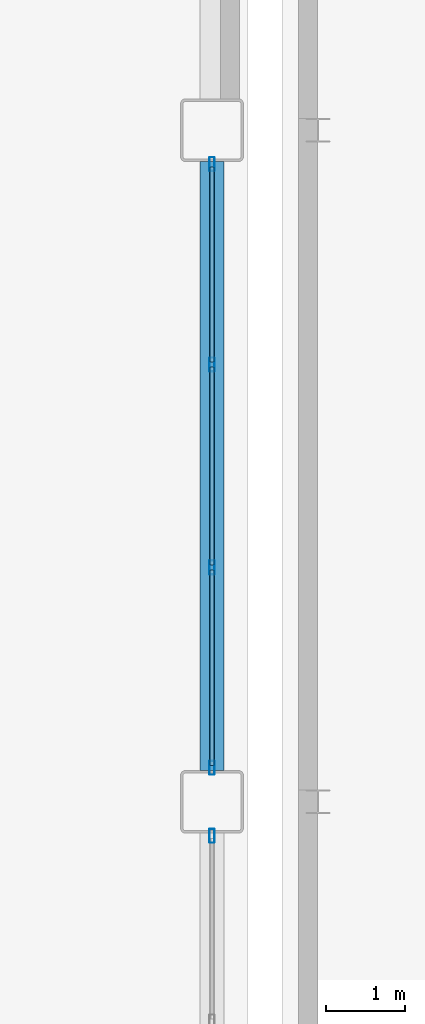
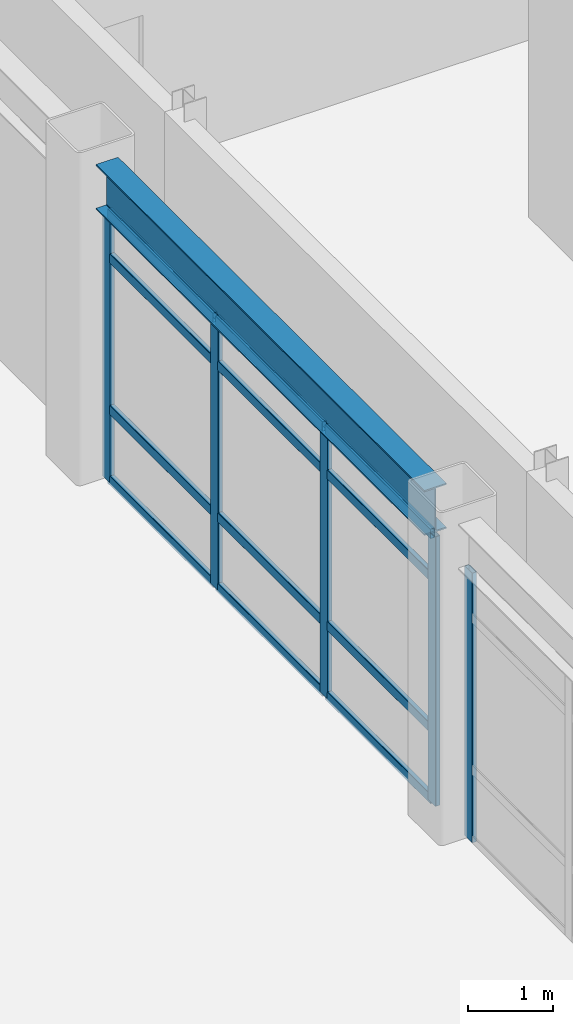
# One storey, part 70 of 154: 17 members, 1 beam, 2 elements without a shape of their own.
"""IFC4 building model written with IfcOpenShell, lengths in metres."""

from ifc_helpers import new_model, si_unit, direction, frame, origin, origin_2d, place, context, subcontext, project, spatial, hollow_rectangle, i_section, extrude, material, layer, layer_set, material_profile, profile_set, type_object, element, aggregate, save


model = new_model("IFC4")

# Units and contexts
model_context = context("Model", 3, precision=1e-05, world=origin(), true_north=direction((0.0, 1.0)))
body_context = subcontext(model_context, "Body", "Model", "MODEL_VIEW")
ifc_project = project(units=[si_unit("LENGTHUNIT", "METRE"), si_unit("AREAUNIT", "SQUARE_METRE"), si_unit("VOLUMEUNIT", "CUBIC_METRE"), si_unit("PLANEANGLEUNIT", "RADIAN"), si_unit("MASSUNIT", "GRAM", prefix="KILO")], contexts=[model_context])

# Site, building, storey
site_placement = place(None, origin())
site = spatial("IfcSite", under=ifc_project, at=site_placement, CompositionType="ELEMENT")
building_placement = place(site_placement, origin())
building = spatial("IfcBuilding", under=site, at=building_placement, Name="Kazehara Bluff Congress Hotel", CompositionType="ELEMENT")
storey_placement = place(building_placement, frame((0.0, 0.0, 10.199951171875)))
storey = spatial("IfcBuildingStorey", under=building, at=storey_placement, Name="L02", CompositionType="ELEMENT", Elevation=10.199951171875)

# Curtain wall, member
ifc_material_1 = material(Name="Anodised aluminium", Category="aluminium")
ifc_layer_1 = layer(ifc_material_1, 0.159912109375)
ifc_layer_set_1 = layer_set([ifc_layer_1], Name="Anodised aluminium")
curtain_wall_type_1 = type_object("IfcCurtainWallType", Name="TP-CW-23", PredefinedType="NOTDEFINED", material=ifc_layer_set_1)
curtain_wall_1_placement = place(storey_placement, origin())
curtain_wall_1 = element("IfcCurtainWall", 1, at=curtain_wall_1_placement, inside=storey, type_object=curtain_wall_type_1, Name="L02 curtain wall CW-23 CW-V1-L02-X5835-8930", PredefinedType="NOTDEFINED")
ifc_material_2 = material(Name="Anodised aluminium", Category="aluminium")
ifc_material_profile_1 = material_profile(ifc_material_2, hollow_rectangle(XDim=0.06494140625, YDim=0.179931640625, WallThickness=0.00390625, InnerFilletRadius=0.00390625, OuterFilletRadius=0.008056640625, at=origin_2d()))
ifc_profile_set_1 = profile_set([ifc_material_profile_1], Name="Anodised aluminium")
member_type_1 = type_object("IfcMemberType", Name="TP-CWM-02", PredefinedType="MULLION", material=ifc_profile_set_1)
member_1_placement = place(storey_placement, frame((58.35009765625, 96.467529296875, 0.0), z_axis=(0.0, 0.0, 1.0), x_axis=(-1.0, 0.0, 0.0)))
member_1 = element("IfcMember", 2, at=member_1_placement, type_object=member_type_1, Name="CW-23 mullion 4", PredefinedType="MULLION", context=body_context, shape_type="SweptSolid", body=[
    extrude(hollow_rectangle(XDim=0.06494140625, YDim=0.179931640625, WallThickness=0.00390625, InnerFilletRadius=0.00390625, OuterFilletRadius=0.008056640625, at=origin_2d()), origin(), (0.0, 0.0, 1.0), 3.885009765625),
])
aggregate(curtain_wall_1, [member_1])

# Curtain wall, members
ifc_material_3 = material(Name="Anodised aluminium", Category="aluminium")
ifc_layer_2 = layer(ifc_material_3, 0.159912109375)
ifc_layer_set_2 = layer_set([ifc_layer_2], Name="Anodised aluminium")
curtain_wall_type_2 = type_object("IfcCurtainWallType", Name="TP-CW-24", PredefinedType="NOTDEFINED", material=ifc_layer_set_2)
curtain_wall_2_placement = place(storey_placement, origin())
curtain_wall_2 = element("IfcCurtainWall", 3, at=curtain_wall_2_placement, inside=storey, type_object=curtain_wall_type_2, Name="L02 curtain wall CW-24 CW-V1-L02-X5835-9730", PredefinedType="NOTDEFINED")
member_2_placement = place(storey_placement, frame((58.35009765625, 97.33251953125, 0.0), z_axis=(0.0, 0.0, 1.0), x_axis=(-1.0, 0.0, 0.0)))
member_2 = element("IfcMember", 4, at=member_2_placement, type_object=member_type_1, Name="CW-24 mullion 1", PredefinedType="MULLION", context=body_context, shape_type="SweptSolid", body=[
    extrude(hollow_rectangle(XDim=0.06494140625, YDim=0.179931640625, WallThickness=0.00390625, InnerFilletRadius=0.00390625, OuterFilletRadius=0.008056640625, at=origin_2d()), origin(), (0.0, 0.0, 1.0), 3.885009765625),
])
member_3_placement = place(storey_placement, frame((58.35009765625, 99.88330078125, 0.0), z_axis=(0.0, 0.0, 1.0), x_axis=(-1.0, 0.0, 0.0)))
member_3 = element("IfcMember", 5, at=member_3_placement, type_object=member_type_1, Name="CW-24 mullion 2", PredefinedType="MULLION", context=body_context, shape_type="SweptSolid", body=[
    extrude(hollow_rectangle(XDim=0.06494140625, YDim=0.179931640625, WallThickness=0.00390625, InnerFilletRadius=0.00390625, OuterFilletRadius=0.008056640625, at=origin_2d()), origin(), (0.0, 0.0, 1.0), 3.885009765625),
])
member_4_placement = place(storey_placement, frame((58.35009765625, 102.466552734375, 0.0), z_axis=(0.0, 0.0, 1.0), x_axis=(-1.0, 0.0, 0.0)))
member_4 = element("IfcMember", 6, at=member_4_placement, type_object=member_type_1, Name="CW-24 mullion 3", PredefinedType="MULLION", context=body_context, shape_type="SweptSolid", body=[
    extrude(hollow_rectangle(XDim=0.06494140625, YDim=0.179931640625, WallThickness=0.00390625, InnerFilletRadius=0.00390625, OuterFilletRadius=0.008056640625, at=origin_2d()), origin(), (0.0, 0.0, 1.0), 3.885009765625),
])
member_5_placement = place(storey_placement, frame((58.35009765625, 105.017578125, 0.0), z_axis=(0.0, 0.0, 1.0), x_axis=(-1.0, 0.0, 0.0)))
member_5 = element("IfcMember", 7, at=member_5_placement, type_object=member_type_1, Name="CW-24 mullion 4", PredefinedType="MULLION", context=body_context, shape_type="SweptSolid", body=[
    extrude(hollow_rectangle(XDim=0.06494140625, YDim=0.179931640625, WallThickness=0.00390625, InnerFilletRadius=0.00390625, OuterFilletRadius=0.008056640625, at=origin_2d()), origin(), (0.0, 0.0, 1.0), 3.885009765625),
])
ifc_material_4 = material(Name="Anodised aluminium", Category="aluminium")
ifc_material_profile_2 = material_profile(ifc_material_4, hollow_rectangle(XDim=0.06494140625, YDim=0.139892578125, WallThickness=0.00390625, InnerFilletRadius=0.00390625, OuterFilletRadius=0.008056640625, at=origin_2d()))
ifc_profile_set_2 = profile_set([ifc_material_profile_2], Name="Anodised aluminium")
member_type_2 = type_object("IfcMemberType", Name="TP-CWT-02", PredefinedType="USERDEFINED", material=ifc_profile_set_2)
member_6_placement = place(storey_placement, frame((58.35009765625, 97.364990234375, 0.032470703125), z_axis=(0.0, 1.0, 0.0), x_axis=(-1.0, 0.0, 0.0)))
member_6 = element("IfcMember", 8, at=member_6_placement, type_object=member_type_2, Name="CW-24 transom 1.1", ObjectType="TRANSOM", PredefinedType="USERDEFINED", context=body_context, shape_type="SweptSolid", body=[
    extrude(hollow_rectangle(XDim=0.06494140625, YDim=0.139892578125, WallThickness=0.00390625, InnerFilletRadius=0.00390625, OuterFilletRadius=0.008056640625, at=origin_2d()), origin(), (0.0, 0.0, 1.0), 2.48583984375),
])
member_7_placement = place(storey_placement, frame((58.35009765625, 97.364990234375, 1.050048828125), z_axis=(0.0, 1.0, 0.0), x_axis=(-1.0, 0.0, 0.0)))
member_7 = element("IfcMember", 9, at=member_7_placement, type_object=member_type_2, Name="CW-24 transom 1.2", ObjectType="TRANSOM", PredefinedType="USERDEFINED", context=body_context, shape_type="SweptSolid", body=[
    extrude(hollow_rectangle(XDim=0.06494140625, YDim=0.139892578125, WallThickness=0.00390625, InnerFilletRadius=0.00390625, OuterFilletRadius=0.008056640625, at=origin_2d()), origin(), (0.0, 0.0, 1.0), 2.48583984375),
])
member_8_placement = place(storey_placement, frame((58.35009765625, 97.364990234375, 3.235107421875), z_axis=(0.0, 1.0, 0.0), x_axis=(-1.0, 0.0, 0.0)))
member_8 = element("IfcMember", 10, at=member_8_placement, type_object=member_type_2, Name="CW-24 transom 1.3", ObjectType="TRANSOM", PredefinedType="USERDEFINED", context=body_context, shape_type="SweptSolid", body=[
    extrude(hollow_rectangle(XDim=0.06494140625, YDim=0.139892578125, WallThickness=0.00390625, InnerFilletRadius=0.00390625, OuterFilletRadius=0.008056640625, at=origin_2d()), origin(), (0.0, 0.0, 1.0), 2.48583984375),
])
member_9_placement = place(storey_placement, frame((58.35009765625, 97.364990234375, 3.8525390625), z_axis=(0.0, 1.0, 0.0), x_axis=(-1.0, 0.0, 0.0)))
member_9 = element("IfcMember", 11, at=member_9_placement, type_object=member_type_2, Name="CW-24 transom 1.4", ObjectType="TRANSOM", PredefinedType="USERDEFINED", context=body_context, shape_type="SweptSolid", body=[
    extrude(hollow_rectangle(XDim=0.06494140625, YDim=0.139892578125, WallThickness=0.00390625, InnerFilletRadius=0.00390625, OuterFilletRadius=0.008056640625, at=origin_2d()), origin(), (0.0, 0.0, 1.0), 2.48583984375),
])
member_10_placement = place(storey_placement, frame((58.35009765625, 99.915771484375, 0.032470703125), z_axis=(0.0, 1.0, 0.0), x_axis=(-1.0, 0.0, 0.0)))
member_10 = element("IfcMember", 12, at=member_10_placement, type_object=member_type_2, Name="CW-24 transom 2.1", ObjectType="TRANSOM", PredefinedType="USERDEFINED", context=body_context, shape_type="SweptSolid", body=[
    extrude(hollow_rectangle(XDim=0.06494140625, YDim=0.139892578125, WallThickness=0.00390625, InnerFilletRadius=0.00390625, OuterFilletRadius=0.008056640625, at=origin_2d()), origin(), (0.0, 0.0, 1.0), 2.518310546875),
])
member_11_placement = place(storey_placement, frame((58.35009765625, 99.915771484375, 1.050048828125), z_axis=(0.0, 1.0, 0.0), x_axis=(-1.0, 0.0, 0.0)))
member_11 = element("IfcMember", 13, at=member_11_placement, type_object=member_type_2, Name="CW-24 transom 2.2", ObjectType="TRANSOM", PredefinedType="USERDEFINED", context=body_context, shape_type="SweptSolid", body=[
    extrude(hollow_rectangle(XDim=0.06494140625, YDim=0.139892578125, WallThickness=0.00390625, InnerFilletRadius=0.00390625, OuterFilletRadius=0.008056640625, at=origin_2d()), origin(), (0.0, 0.0, 1.0), 2.518310546875),
])
member_12_placement = place(storey_placement, frame((58.35009765625, 99.915771484375, 3.235107421875), z_axis=(0.0, 1.0, 0.0), x_axis=(-1.0, 0.0, 0.0)))
member_12 = element("IfcMember", 14, at=member_12_placement, type_object=member_type_2, Name="CW-24 transom 2.3", ObjectType="TRANSOM", PredefinedType="USERDEFINED", context=body_context, shape_type="SweptSolid", body=[
    extrude(hollow_rectangle(XDim=0.06494140625, YDim=0.139892578125, WallThickness=0.00390625, InnerFilletRadius=0.00390625, OuterFilletRadius=0.008056640625, at=origin_2d()), origin(), (0.0, 0.0, 1.0), 2.518310546875),
])
member_13_placement = place(storey_placement, frame((58.35009765625, 99.915771484375, 3.8525390625), z_axis=(0.0, 1.0, 0.0), x_axis=(-1.0, 0.0, 0.0)))
member_13 = element("IfcMember", 15, at=member_13_placement, type_object=member_type_2, Name="CW-24 transom 2.4", ObjectType="TRANSOM", PredefinedType="USERDEFINED", context=body_context, shape_type="SweptSolid", body=[
    extrude(hollow_rectangle(XDim=0.06494140625, YDim=0.139892578125, WallThickness=0.00390625, InnerFilletRadius=0.00390625, OuterFilletRadius=0.008056640625, at=origin_2d()), origin(), (0.0, 0.0, 1.0), 2.518310546875),
])
member_14_placement = place(storey_placement, frame((58.35009765625, 102.499267578125, 0.032470703125), z_axis=(0.0, 1.0, 0.0), x_axis=(-1.0, 0.0, 0.0)))
member_14 = element("IfcMember", 16, at=member_14_placement, type_object=member_type_2, Name="CW-24 transom 3.1", ObjectType="TRANSOM", PredefinedType="USERDEFINED", context=body_context, shape_type="SweptSolid", body=[
    extrude(hollow_rectangle(XDim=0.06494140625, YDim=0.139892578125, WallThickness=0.00390625, InnerFilletRadius=0.00390625, OuterFilletRadius=0.008056640625, at=origin_2d()), origin(), (0.0, 0.0, 1.0), 2.48583984375),
])
member_15_placement = place(storey_placement, frame((58.35009765625, 102.499267578125, 1.050048828125), z_axis=(0.0, 1.0, 0.0), x_axis=(-1.0, 0.0, 0.0)))
member_15 = element("IfcMember", 17, at=member_15_placement, type_object=member_type_2, Name="CW-24 transom 3.2", ObjectType="TRANSOM", PredefinedType="USERDEFINED", context=body_context, shape_type="SweptSolid", body=[
    extrude(hollow_rectangle(XDim=0.06494140625, YDim=0.139892578125, WallThickness=0.00390625, InnerFilletRadius=0.00390625, OuterFilletRadius=0.008056640625, at=origin_2d()), origin(), (0.0, 0.0, 1.0), 2.48583984375),
])
member_16_placement = place(storey_placement, frame((58.35009765625, 102.499267578125, 3.235107421875), z_axis=(0.0, 1.0, 0.0), x_axis=(-1.0, 0.0, 0.0)))
member_16 = element("IfcMember", 18, at=member_16_placement, type_object=member_type_2, Name="CW-24 transom 3.3", ObjectType="TRANSOM", PredefinedType="USERDEFINED", context=body_context, shape_type="SweptSolid", body=[
    extrude(hollow_rectangle(XDim=0.06494140625, YDim=0.139892578125, WallThickness=0.00390625, InnerFilletRadius=0.00390625, OuterFilletRadius=0.008056640625, at=origin_2d()), origin(), (0.0, 0.0, 1.0), 2.48583984375),
])
member_17_placement = place(storey_placement, frame((58.35009765625, 102.499267578125, 3.8525390625), z_axis=(0.0, 1.0, 0.0), x_axis=(-1.0, 0.0, 0.0)))
member_17 = element("IfcMember", 19, at=member_17_placement, type_object=member_type_2, Name="CW-24 transom 3.4", ObjectType="TRANSOM", PredefinedType="USERDEFINED", context=body_context, shape_type="SweptSolid", body=[
    extrude(hollow_rectangle(XDim=0.06494140625, YDim=0.139892578125, WallThickness=0.00390625, InnerFilletRadius=0.00390625, OuterFilletRadius=0.008056640625, at=origin_2d()), origin(), (0.0, 0.0, 1.0), 2.48583984375),
])
aggregate(curtain_wall_2, [member_2, member_3, member_4, member_5, member_6, member_7, member_8, member_9, member_10, member_11, member_12, member_13, member_14, member_15, member_16, member_17])

# Beam
ifc_material_5 = material(Name="Steel SN490B", Category="steel")
ifc_material_profile_3 = material_profile(ifc_material_5, i_section(OverallWidth=0.300048828125, OverallDepth=0.64990234375, WebThickness=0.011962890625, FlangeThickness=0.02001953125, FilletRadius=0.012939453125, at=origin_2d()))
ifc_profile_set_3 = profile_set([ifc_material_profile_3], Name="Steel SN490B")
beam_type = type_object("IfcBeamType", Name="TP-G-03", PredefinedType="BEAM", material=ifc_profile_set_3)
beam_placement = place(storey_placement, frame((58.35009765625, 97.300048828125, 4.235107421875), z_axis=(0.0, 1.0, 0.0), x_axis=(-1.0, 0.0, 0.0)))
element("IfcBeam", 20, at=beam_placement, inside=storey, type_object=beam_type, Name="L02 girder G-03 23", PredefinedType="BEAM", context=body_context, shape_type="SweptSolid", body=[
    extrude(i_section(OverallWidth=0.300048828125, OverallDepth=0.64990234375, WebThickness=0.011962890625, FlangeThickness=0.02001953125, FilletRadius=0.012939453125, at=origin_2d()), origin(), (0.0, 0.0, 1.0), 7.75),
])

save(model, "model.ifc")
